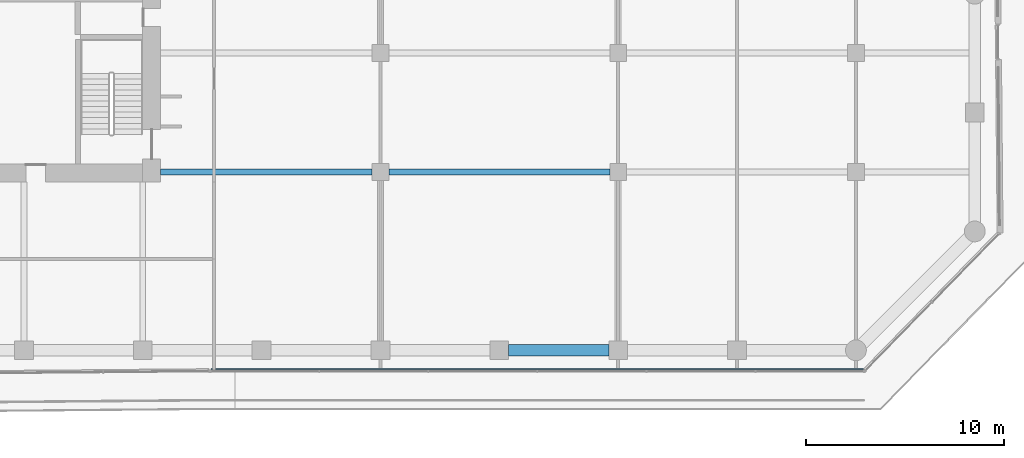
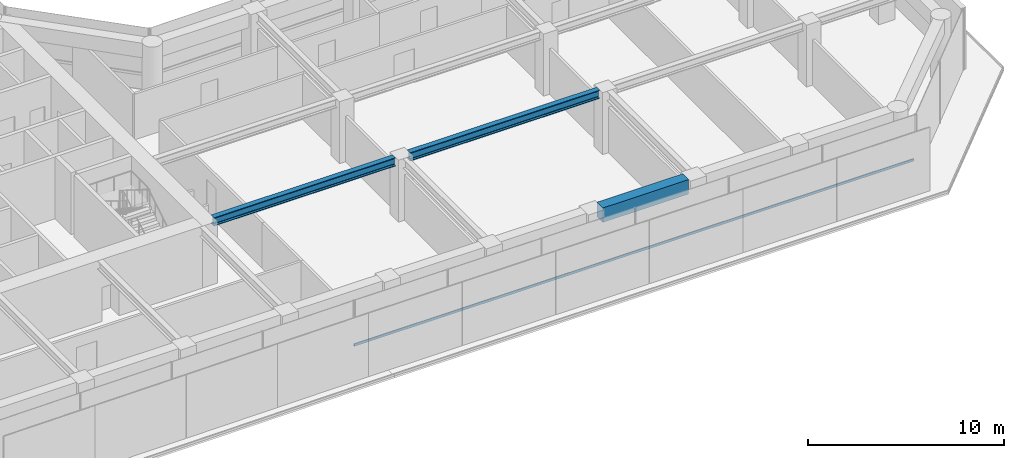
# One storey, part 7 of 28: 3 beams, 1 member, 1 element without a shape of its own.
"""IFC4 building model written with IfcOpenShell, lengths in metres."""

from ifc_helpers import new_model, si_unit, direction, frame, origin, origin_2d, place, context, subcontext, project, spatial, rectangle, i_section, extrude, material, layer, layer_set, material_profile, profile_set, type_object, element, aggregate, save


model = new_model("IFC4")

# Units and contexts
model_context = context("Model", 3, precision=1e-05, world=origin(), true_north=direction((0.0, 1.0)))
body_context = subcontext(model_context, "Body", "Model", "MODEL_VIEW")
ifc_project = project(units=[si_unit("LENGTHUNIT", "METRE"), si_unit("AREAUNIT", "SQUARE_METRE"), si_unit("VOLUMEUNIT", "CUBIC_METRE"), si_unit("PLANEANGLEUNIT", "RADIAN"), si_unit("MASSUNIT", "GRAM", prefix="KILO")], contexts=[model_context])

# Site, building, storey
site_placement = place(None, origin())
site = spatial("IfcSite", under=ifc_project, at=site_placement, CompositionType="ELEMENT")
building_placement = place(site_placement, origin())
building = spatial("IfcBuilding", under=site, at=building_placement, Name="Welwitschia Terrace Campus", CompositionType="ELEMENT")
storey_placement = place(building_placement, frame((0.0, 0.0, 54.199951171875)))
storey = spatial("IfcBuildingStorey", under=building, at=storey_placement, Name="L12", CompositionType="ELEMENT", Elevation=54.199951171875)

# Beams
ifc_material_1 = material(Name="Steel S355", Category="steel")
ifc_material_profile_1 = material_profile(ifc_material_1, i_section(OverallWidth=0.305908203125, OverallDepth=0.52392578125, WebThickness=0.02099609375, FlangeThickness=0.0400390625, FilletRadius=0.027099609375, at=origin_2d()))
ifc_profile_set_1 = profile_set([ifc_material_profile_1], Name="Steel S355")
beam_type_1 = type_object("IfcBeamType", Name="Interior girder HE 500 M", PredefinedType="BEAM", material=ifc_profile_set_1)
beam_1_placement = place(storey_placement, frame((24.90087890625, 5.0, 3.588134765625), z_axis=(1.0, 0.0, 0.0), x_axis=(0.0, 1.0, 0.0)))
element("IfcBeam", 1, at=beam_1_placement, inside=storey, type_object=beam_type_1, Name="Girder GB2", PredefinedType="BEAM", context=body_context, shape_type="SweptSolid", body=[
    extrude(i_section(OverallWidth=0.305908203125, OverallDepth=0.52392578125, WebThickness=0.02099609375, FlangeThickness=0.0400390625, FilletRadius=0.027099609375, at=origin_2d()), origin(), (0.0, 0.0, 1.0), 10.673583984375),
])
beam_2_placement = place(storey_placement, frame((36.425537109375, 5.0, 3.588134765625), z_axis=(1.0, 0.0, 0.0), x_axis=(0.0, 1.0, 0.0)))
element("IfcBeam", 2, at=beam_2_placement, inside=storey, type_object=beam_type_1, Name="Girder GB2", PredefinedType="BEAM", context=body_context, shape_type="SweptSolid", body=[
    extrude(i_section(OverallWidth=0.305908203125, OverallDepth=0.52392578125, WebThickness=0.02099609375, FlangeThickness=0.0400390625, FilletRadius=0.027099609375, at=origin_2d()), origin(), (0.0, 0.0, 1.0), 11.14892578125),
])
ifc_material_2 = material(Name="Concrete C60/75", Category="concrete")
ifc_material_profile_2 = material_profile(ifc_material_2, rectangle(XDim=0.60009765625, YDim=0.89990234375, at=origin_2d()))
ifc_profile_set_2 = profile_set([ifc_material_profile_2], Name="Concrete C60/75")
beam_type_2 = type_object("IfcBeamType", Name="Ring spandrel 600x900", PredefinedType="SPANDREL", material=ifc_profile_set_2)
beam_3_placement = place(storey_placement, frame((42.4755859375, -4.0, 3.400146484375), z_axis=(1.0, 0.0, 0.0), x_axis=(0.0, 1.0, 0.0)))
element("IfcBeam", 3, at=beam_3_placement, inside=storey, type_object=beam_type_2, Name="Spandrel SP2", PredefinedType="SPANDREL", context=body_context, shape_type="SweptSolid", body=[
    extrude(rectangle(XDim=0.60009765625, YDim=0.89990234375, at=origin_2d()), origin(), (0.0, 0.0, 1.0), 5.048828125),
])

# Curtain wall, member
ifc_material_3 = material(Name="Bronze anodised aluminium", Category="aluminium")
ifc_layer = layer(ifc_material_3, 0.1201171875)
ifc_layer_set = layer_set([ifc_layer], Name="Bronze anodised aluminium")
curtain_wall_type = type_object("IfcCurtainWallType", Name="Curtain wall CW2 tower 6000", PredefinedType="NOTDEFINED", material=ifc_layer_set)
curtain_wall_placement = place(storey_placement, origin())
curtain_wall = element("IfcCurtainWall", 4, at=curtain_wall_placement, inside=storey, type_object=curtain_wall_type, Name="CW L12.4.0", PredefinedType="NOTDEFINED")
ifc_material_4 = material(Name="Bronze anodised aluminium", Category="aluminium")
ifc_material_profile_3 = material_profile(ifc_material_4, rectangle(XDim=0.06005859375, YDim=0.14990234375, at=origin_2d()))
ifc_profile_set_3 = profile_set([ifc_material_profile_3], Name="Bronze anodised aluminium")
member_type = type_object("IfcMemberType", Name="Transom 60x150", PredefinedType="USERDEFINED", material=ifc_profile_set_3)
member_placement = place(storey_placement, frame((27.45654296875, -4.968017578125, 1.0), z_axis=(1.0, 0.0, 0.0), x_axis=(0.0, 1.0, 0.0)))
member = element("IfcMember", 5, at=member_placement, type_object=member_type, Name="Transom L12.4.0", ObjectType="TRANSOM", PredefinedType="USERDEFINED", context=body_context, shape_type="SweptSolid", body=[
    extrude(rectangle(XDim=0.06005859375, YDim=0.14990234375, at=origin_2d()), origin(), (0.0, 0.0, 1.0), 32.922119140625),
])
aggregate(curtain_wall, [member])

save(model, "model.ifc")
